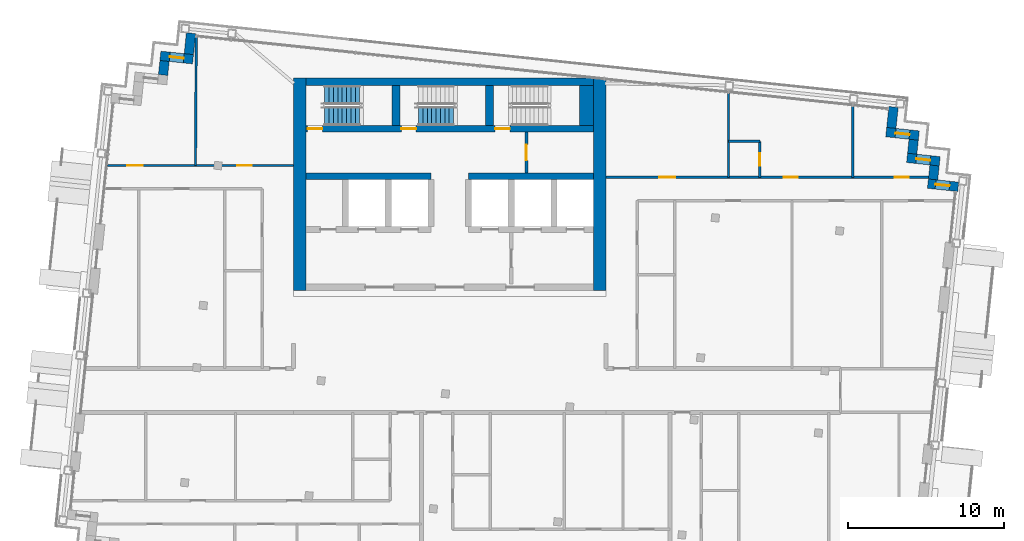
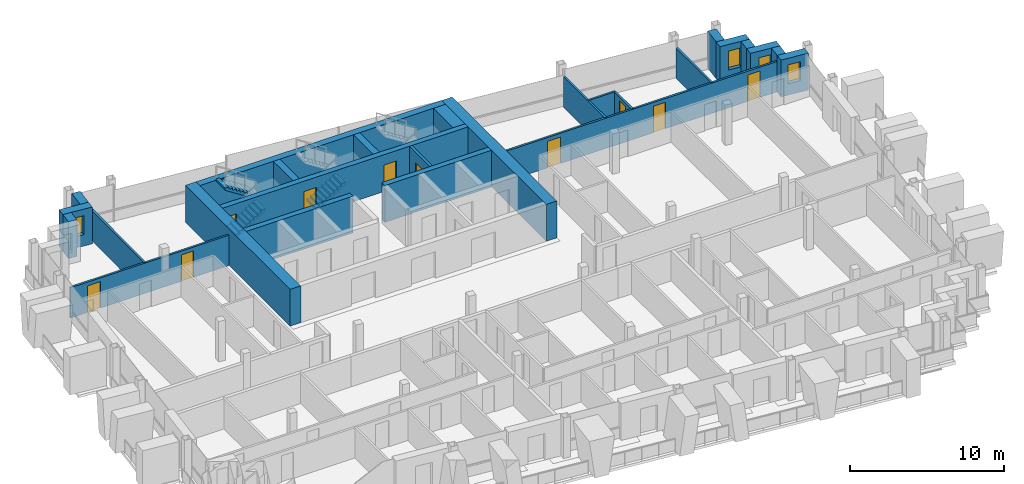
# One storey, part 12 of 17: 26 walls, 10 doors, 4 windows, 3 stair flights, 14 openings, 2 elements without a shape of their own.
"""IFC4 building model written with IfcOpenShell, lengths in metres."""

from ifc_helpers import new_model, si_unit, direction, frame, frame_2d, origin, place, context, subcontext, project, spatial, polyline, rectangle, outline, extrude, material, layer, layer_set, type_object, element, fill, aggregate, save


model = new_model("IFC4")

# Units and contexts
model_context = context("Model", 3, precision=1e-05, world=origin(), true_north=direction((0.0, 1.0)))
body_context = subcontext(model_context, "Body", "Model", "MODEL_VIEW")
ifc_project = project(units=[si_unit("LENGTHUNIT", "METRE"), si_unit("AREAUNIT", "SQUARE_METRE"), si_unit("VOLUMEUNIT", "CUBIC_METRE"), si_unit("PLANEANGLEUNIT", "RADIAN"), si_unit("MASSUNIT", "GRAM", prefix="KILO")], contexts=[model_context])

# Site, building, storey
site_placement = place(None, origin())
site = spatial("IfcSite", under=ifc_project, at=site_placement, CompositionType="ELEMENT")
building_placement = place(site_placement, origin())
building = spatial("IfcBuilding", under=site, at=building_placement, Name="Vidyagriha Tower", CompositionType="ELEMENT")
storey_placement = place(building_placement, frame((0.0, 0.0, 269.10009765625)))
storey = spatial("IfcBuildingStorey", under=building, at=storey_placement, Name="L70", CompositionType="ELEMENT", Elevation=269.10009765625)

# Wall, opening, window
ifc_material_1 = material(Name="Precast concrete C40/50 with brick facing", Category="concrete")
ifc_layer_1 = layer(ifc_material_1, 0.60009765625)
ifc_layer_set_1 = layer_set([ifc_layer_1], Name="Precast concrete C40/50 with brick facing")
wall_type_1 = type_object("IfcWallType", Name="Brick-faced precast wall 600", PredefinedType="STANDARD", material=ifc_layer_set_1)
wall_1_placement = place(storey_placement, frame((32.536376953125, 13.03125, 0.0), z_axis=(0.0, 0.0, 1.0), x_axis=(-0.994534226826, 0.104411070641, 0.0)))
wall_1 = element("IfcWall", 1, at=wall_1_placement, inside=storey, type_object=wall_type_1, Name="Stepped corner wall L70 R01", PredefinedType="STANDARD", context=body_context, shape_type="SweptSolid", body=[
    extrude(rectangle(XDim=1.9501953125, YDim=0.60009765625, at=frame_2d((0.97509765625, 0.0))), origin(), (0.0, 0.0, 1.0), 2.919921875),
])
opening_1_placement = place(wall_1_placement, frame((0.559814453125, 0.0, 0.89990234375)))
opening_1 = element("IfcOpeningElement", 2, at=opening_1_placement, cuts=wall_1, Name="Opening WN1", PredefinedType="OPENING", context=body_context, shape_type="SweptSolid", body=[
    extrude(rectangle(XDim=0.89990234375, YDim=1.5, at=frame_2d((0.449951171875, 0.75))), frame((0.0, 0.31005859375, 0.0), z_axis=(0.0, -1.0, 0.0), x_axis=(1.0, 0.0, 0.0)), (0.0, 0.0, 1.0), 0.6201171875),
])
ifc_material_2 = material(Name="Aluminium and glass window", Category="aluminium")
window_type = type_object("IfcWindowType", Name="Reveal window 900x1500", PartitioningType="NOTDEFINED", PredefinedType="WINDOW", material=ifc_material_2)
window_1_placement = place(opening_1_placement, origin())
window_1 = element("IfcWindow", 3, at=window_1_placement, inside=storey, type_object=window_type, Name="Reveal window L70 R01", OverallHeight=1.5, OverallWidth=0.89990234375, PartitioningType="SINGLE_PANEL", PredefinedType="WINDOW", context=body_context, shape_type="SweptSolid", body=[
    extrude(rectangle(XDim=0.89990234375, YDim=1.5, at=frame_2d((0.449951171875, 0.75))), frame((0.0, 0.030029296875, 0.0), z_axis=(0.0, -1.0, 0.0), x_axis=(1.0, 0.0, 0.0)), (0.0, 0.0, 1.0), 0.06005859375),
])
fill(opening_1, window_1)

# Wall
wall_2_placement = place(storey_placement, frame((30.9267578125, 13.501953125, 0.0), z_axis=(0.0, 0.0, 1.0), x_axis=(0.104416541099, 0.994533652495, 0.0)))
element("IfcWall", 4, at=wall_2_placement, inside=storey, type_object=wall_type_1, Name="Stepped corner wall L70 R02", PredefinedType="STANDARD", context=body_context, shape_type="SweptSolid", body=[
    extrude(rectangle(XDim=0.900146484375, YDim=0.60009765625, at=frame_2d((0.4501953125, 0.0))), origin(), (0.0, 0.0, 1.0), 2.919921875),
])

# Wall, opening, window
wall_3_placement = place(storey_placement, frame((31.3505859375, 14.6640625, 0.0), z_axis=(0.0, 0.0, 1.0), x_axis=(-0.994523910136, 0.104509292252, 0.0)))
wall_3 = element("IfcWall", 5, at=wall_3_placement, inside=storey, type_object=wall_type_1, Name="Stepped corner wall L70 R03", PredefinedType="STANDARD", context=body_context, shape_type="SweptSolid", body=[
    extrude(rectangle(XDim=2.10009765625, YDim=0.60009765625, at=frame_2d((1.050048828125, 0.0))), origin(), (0.0, 0.0, 1.0), 2.919921875),
])
opening_2_placement = place(wall_3_placement, frame((0.60009765625, 0.0, 0.89990234375)))
opening_2 = element("IfcOpeningElement", 6, at=opening_2_placement, cuts=wall_3, Name="Opening WN1", PredefinedType="OPENING", context=body_context, shape_type="SweptSolid", body=[
    extrude(rectangle(XDim=0.89990234375, YDim=1.5, at=frame_2d((0.449951171875, 0.75))), frame((0.0, 0.31005859375, 0.0), z_axis=(0.0, -1.0, 0.0), x_axis=(1.0, 0.0, 0.0)), (0.0, 0.0, 1.0), 0.6201171875),
])
window_2_placement = place(opening_2_placement, origin())
window_2 = element("IfcWindow", 7, at=window_2_placement, inside=storey, type_object=window_type, Name="Reveal window L70 R03", OverallHeight=1.5, OverallWidth=0.89990234375, PartitioningType="SINGLE_PANEL", PredefinedType="WINDOW", context=body_context, shape_type="SweptSolid", body=[
    extrude(rectangle(XDim=0.89990234375, YDim=1.5, at=frame_2d((0.449951171875, 0.75))), frame((0.0, 0.030029296875, 0.0), z_axis=(0.0, -1.0, 0.0), x_axis=(1.0, 0.0, 0.0)), (0.0, 0.0, 1.0), 0.06005859375),
])
fill(opening_2, window_2)

# Wall
wall_4_placement = place(storey_placement, frame((29.591796875, 15.150634765625, 0.0), z_axis=(0.0, 0.0, 1.0), x_axis=(0.104444712852, 0.994530694326, 0.0)))
element("IfcWall", 8, at=wall_4_placement, inside=storey, type_object=wall_type_1, Name="Stepped corner wall L70 R04", PredefinedType="STANDARD", context=body_context, shape_type="SweptSolid", body=[
    extrude(rectangle(XDim=0.89990234375, YDim=0.60009765625, at=frame_2d((0.449951171875, 0.0))), origin(), (0.0, 0.0, 1.0), 2.919921875),
])

# Wall, opening, window
wall_5_placement = place(storey_placement, frame((30.015380859375, 16.3125, 0.0), z_axis=(0.0, 0.0, 1.0), x_axis=(-0.994510548187, 0.104636368175, 0.0)))
wall_5 = element("IfcWall", 9, at=wall_5_placement, inside=storey, type_object=wall_type_1, Name="Stepped corner wall L70 R05", PredefinedType="STANDARD", context=body_context, shape_type="SweptSolid", body=[
    extrude(rectangle(XDim=2.099853515625, YDim=0.60009765625, at=frame_2d((1.0498046875, 0.0))), origin(), (0.0, 0.0, 1.0), 2.919921875),
])
opening_3_placement = place(wall_5_placement, frame((0.60009765625, 0.0, 0.89990234375)))
opening_3 = element("IfcOpeningElement", 10, at=opening_3_placement, cuts=wall_5, Name="Opening WN1", PredefinedType="OPENING", context=body_context, shape_type="SweptSolid", body=[
    extrude(rectangle(XDim=0.89990234375, YDim=1.5, at=frame_2d((0.449951171875, 0.75))), frame((0.0, 0.31005859375, 0.0), z_axis=(0.0, -1.0, 0.0), x_axis=(1.0, 0.0, 0.0)), (0.0, 0.0, 1.0), 0.6201171875),
])
window_3_placement = place(opening_3_placement, origin())
window_3 = element("IfcWindow", 11, at=window_3_placement, inside=storey, type_object=window_type, Name="Reveal window L70 R05", OverallHeight=1.5, OverallWidth=0.89990234375, PartitioningType="SINGLE_PANEL", PredefinedType="WINDOW", context=body_context, shape_type="SweptSolid", body=[
    extrude(rectangle(XDim=0.89990234375, YDim=1.5, at=frame_2d((0.449951171875, 0.75))), frame((0.0, 0.030029296875, 0.0), z_axis=(0.0, -1.0, 0.0), x_axis=(1.0, 0.0, 0.0)), (0.0, 0.0, 1.0), 0.06005859375),
])
fill(opening_3, window_3)

# Walls
wall_6_placement = place(storey_placement, frame((28.256591796875, 16.79931640625, 0.0), z_axis=(0.0, 0.0, 1.0), x_axis=(0.104534153452, 0.994521297289, 0.0)))
element("IfcWall", 12, at=wall_6_placement, inside=storey, type_object=wall_type_1, Name="Stepped corner wall L70 R06", PredefinedType="STANDARD", context=body_context, shape_type="SweptSolid", body=[
    extrude(rectangle(XDim=1.349853515625, YDim=0.60009765625, at=frame_2d((0.6748046875, 0.0))), origin(), (0.0, 0.0, 1.0), 2.919921875),
])
wall_7_placement = place(storey_placement, frame((-16.5546875, 22.866455078125, 0.0), z_axis=(0.0, 0.0, 1.0), x_axis=(-0.104515354875, -0.994523273029, 0.0)))
element("IfcWall", 13, at=wall_7_placement, inside=storey, type_object=wall_type_1, Name="Stepped corner wall L70 R08", PredefinedType="STANDARD", context=body_context, shape_type="SweptSolid", body=[
    extrude(rectangle(XDim=1.35009765625, YDim=0.60009765625, at=frame_2d((0.675048828125, 0.0))), origin(), (0.0, 0.0, 1.0), 2.919921875),
])

# Wall, opening, window
wall_8_placement = place(storey_placement, frame((-16.4287109375, 21.194091796875, 0.0), z_axis=(0.0, 0.0, 1.0), x_axis=(-0.994522640205, 0.104521376379, 0.0)))
wall_8 = element("IfcWall", 14, at=wall_8_placement, inside=storey, type_object=wall_type_1, Name="Stepped corner wall L70 R09", PredefinedType="STANDARD", context=body_context, shape_type="SweptSolid", body=[
    extrude(rectangle(XDim=2.099853515625, YDim=0.60009765625, at=frame_2d((1.0498046875, 0.0))), origin(), (0.0, 0.0, 1.0), 2.919921875),
])
opening_4_placement = place(wall_8_placement, frame((0.599853515625, 0.0, 0.89990234375)))
opening_4 = element("IfcOpeningElement", 15, at=opening_4_placement, cuts=wall_8, Name="Opening WN1", PredefinedType="OPENING", context=body_context, shape_type="SweptSolid", body=[
    extrude(rectangle(XDim=0.89990234375, YDim=1.5, at=frame_2d((0.449951171875, 0.75))), frame((0.0, 0.31005859375, 0.0), z_axis=(0.0, -1.0, 0.0), x_axis=(1.0, 0.0, 0.0)), (0.0, 0.0, 1.0), 0.6201171875),
])
window_4_placement = place(opening_4_placement, origin())
window_4 = element("IfcWindow", 16, at=window_4_placement, inside=storey, type_object=window_type, Name="Reveal window L70 R09", OverallHeight=1.5, OverallWidth=0.89990234375, PartitioningType="SINGLE_PANEL", PredefinedType="WINDOW", context=body_context, shape_type="SweptSolid", body=[
    extrude(rectangle(XDim=0.89990234375, YDim=1.5, at=frame_2d((0.449951171875, 0.75))), frame((0.0, 0.030029296875, 0.0), z_axis=(0.0, -1.0, 0.0), x_axis=(1.0, 0.0, 0.0)), (0.0, 0.0, 1.0), 0.06005859375),
])
fill(opening_4, window_4)

# Walls
wall_9_placement = place(storey_placement, frame((-18.250244140625, 21.083984375, 0.0), z_axis=(0.0, 0.0, 1.0), x_axis=(-0.104416541099, -0.994533652495, 0.0)))
element("IfcWall", 17, at=wall_9_placement, inside=storey, type_object=wall_type_1, Name="Stepped corner wall L70 R10", PredefinedType="STANDARD", context=body_context, shape_type="SweptSolid", body=[
    extrude(rectangle(XDim=0.900146484375, YDim=0.60009765625, at=frame_2d((0.4501953125, 0.0))), origin(), (0.0, 0.0, 1.0), 2.919921875),
])
ifc_material_3 = material(Name="Concrete C60/75", Category="concrete")
ifc_layer_2 = layer(ifc_material_3, 0.39990234375)
ifc_layer_set_2 = layer_set([ifc_layer_2], Name="Concrete C60/75")
wall_type_2 = type_object("IfcWallType", Name="Core shear wall 400 mm", PredefinedType="SHEAR", material=ifc_layer_set_2)
for number, where, name in (
    (18, (-9.199951171875, 13.699951171875, 0.0), "Core row N rear wall"),
    (19, (1.199951171875, 13.699951171875, 0.0), "Core row N rear wall"),
):
    element("IfcWall", number, at=place(storey_placement, frame(where)), inside=storey, type_object=wall_type_2, Name=name, PredefinedType="SHEAR", context=body_context, shape_type="SweptSolid", body=[
        extrude(rectangle(XDim=8.0, YDim=0.39990234375, at=frame_2d((4.0, 0.0))), origin(), (0.0, 0.0, 1.0), 2.919921875),
    ])

# Wall, openings, doors
wall_10_placement = place(storey_placement, frame((-9.199951171875, 16.75, 0.0)))
wall_10 = element("IfcWall", 20, at=wall_10_placement, inside=storey, type_object=wall_type_2, Name="Stair front wall", PredefinedType="SHEAR", context=body_context, shape_type="SweptSolid", body=[
    extrude(rectangle(XDim=18.39990234375, YDim=0.39990234375, at=frame_2d((9.199951171875, 0.0))), origin(), (0.0, 0.0, 1.0), 2.919921875),
])
opening_5_placement = place(wall_10_placement, frame((0.10009765625, 0.0, 0.0)))
opening_5 = element("IfcOpeningElement", 21, at=opening_5_placement, cuts=wall_10, Name="Opening D70-06", PredefinedType="OPENING", context=body_context, shape_type="SweptSolid", body=[
    extrude(rectangle(XDim=0.949951171875, YDim=2.10009765625, at=frame_2d((0.47509765625, 1.050048828125))), frame((0.0, 0.2099609375, 0.0), z_axis=(0.0, -1.0, 0.0), x_axis=(1.0, 0.0, 0.0)), (0.0, 0.0, 1.0), 0.419921875),
])
opening_6_placement = place(wall_10_placement, frame((6.10009765625, 0.0, 0.0)))
opening_6 = element("IfcOpeningElement", 22, at=opening_6_placement, cuts=wall_10, Name="Opening D70-07", PredefinedType="OPENING", context=body_context, shape_type="SweptSolid", body=[
    extrude(rectangle(XDim=0.949951171875, YDim=2.10009765625, at=frame_2d((0.47509765625, 1.050048828125))), frame((0.0, 0.2099609375, 0.0), z_axis=(0.0, -1.0, 0.0), x_axis=(1.0, 0.0, 0.0)), (0.0, 0.0, 1.0), 0.419921875),
])
opening_7_placement = place(wall_10_placement, frame((12.10009765625, 0.0, 0.0)))
opening_7 = element("IfcOpeningElement", 23, at=opening_7_placement, cuts=wall_10, Name="Opening D70-08", PredefinedType="OPENING", context=body_context, shape_type="SweptSolid", body=[
    extrude(rectangle(XDim=0.949951171875, YDim=2.10009765625, at=frame_2d((0.47509765625, 1.050048828125))), frame((0.0, 0.2099609375, 0.0), z_axis=(0.0, -1.0, 0.0), x_axis=(1.0, 0.0, 0.0)), (0.0, 0.0, 1.0), 0.419921875),
])
ifc_material_4 = material(Name="Hollow metal door leaf")
door_type_1 = type_object("IfcDoorType", Name="Exit stair door 950 x 2100 mm EI 90", OperationType="NOTDEFINED", PredefinedType="DOOR", material=ifc_material_4)
door_1_placement = place(opening_5_placement, origin())
door_1 = element("IfcDoor", 24, at=door_1_placement, inside=storey, type_object=door_type_1, Name="Stair door ST1 L70", OperationType="SINGLE_SWING_LEFT", OverallHeight=2.10009765625, OverallWidth=0.949951171875, PredefinedType="DOOR", context=body_context, shape_type="SweptSolid", body=[
    extrude(rectangle(XDim=0.949951171875, YDim=2.10009765625, at=frame_2d((0.47509765625, 1.050048828125))), frame((0.0, 0.02490234375, 0.0), z_axis=(0.0, -1.0, 0.0), x_axis=(1.0, 0.0, 0.0)), (0.0, 0.0, 1.0), 0.050048828125),
])
fill(opening_5, door_1)
door_2_placement = place(opening_6_placement, origin())
door_2 = element("IfcDoor", 25, at=door_2_placement, inside=storey, type_object=door_type_1, Name="Stair door ST2 L70", OperationType="SINGLE_SWING_LEFT", OverallHeight=2.10009765625, OverallWidth=0.949951171875, PredefinedType="DOOR", context=body_context, shape_type="SweptSolid", body=[
    extrude(rectangle(XDim=0.949951171875, YDim=2.10009765625, at=frame_2d((0.47509765625, 1.050048828125))), frame((0.0, 0.02490234375, 0.0), z_axis=(0.0, -1.0, 0.0), x_axis=(1.0, 0.0, 0.0)), (0.0, 0.0, 1.0), 0.050048828125),
])
fill(opening_6, door_2)
door_3_placement = place(opening_7_placement, origin())
door_3 = element("IfcDoor", 26, at=door_3_placement, inside=storey, type_object=door_type_1, Name="Stair door ST3 L70", OperationType="SINGLE_SWING_LEFT", OverallHeight=2.10009765625, OverallWidth=0.949951171875, PredefinedType="DOOR", context=body_context, shape_type="SweptSolid", body=[
    extrude(rectangle(XDim=0.949951171875, YDim=2.10009765625, at=frame_2d((0.47509765625, 1.050048828125))), frame((0.0, 0.02490234375, 0.0), z_axis=(0.0, -1.0, 0.0), x_axis=(1.0, 0.0, 0.0)), (0.0, 0.0, 1.0), 0.050048828125),
])
fill(opening_7, door_3)

# Walls
ifc_material_5 = material(Name="Concrete C60/75", Category="concrete")
ifc_layer_3 = layer(ifc_material_5, 0.5)
ifc_layer_set_3 = layer_set([ifc_layer_3], Name="Concrete C60/75")
wall_type_3 = type_object("IfcWallType", Name="Core shear wall 500 mm", PredefinedType="SHEAR", material=ifc_layer_set_3)
wall_11_placement = place(storey_placement, frame((-9.199951171875, 19.75, 0.0)))
element("IfcWall", 27, at=wall_11_placement, inside=storey, type_object=wall_type_3, Name="Core north wall", PredefinedType="SHEAR", context=body_context, shape_type="SweptSolid", body=[
    extrude(rectangle(XDim=18.39990234375, YDim=0.5, at=frame_2d((9.199951171875, 0.0))), origin(), (0.0, 0.0, 1.0), 2.919921875),
])
for number, where, z_axis, x_axis, name in (
    (28, (-3.449951171875, 16.949951171875, 0.0), (0.0, 0.0, 1.0), (0.0, 1.0, 0.0), "Stair partition wall 1"),
    (29, (2.550048828125, 16.949951171875, 0.0), (0.0, 0.0, 1.0), (0.0, 1.0, 0.0), "Stair partition wall 2"),
):
    element("IfcWall", number, at=place(storey_placement, frame(where, z_axis=z_axis, x_axis=x_axis)), inside=storey, type_object=wall_type_3, Name=name, PredefinedType="SHEAR", context=body_context, shape_type="SweptSolid", body=[
        extrude(rectangle(XDim=2.550048828125, YDim=0.5, at=frame_2d((1.27490234375, 0.0))), origin(), (0.0, 0.0, 1.0), 2.919921875),
    ])
ifc_material_6 = material(Name="Concrete C60/75", Category="concrete")
ifc_layer_4 = layer(ifc_material_6, 0.800048828125)
ifc_layer_set_4 = layer_set([ifc_layer_4], Name="Concrete C60/75")
wall_type_4 = type_object("IfcWallType", Name="Core shear wall 800 mm", PredefinedType="SHEAR", material=ifc_layer_set_4)
for number, where, z_axis, x_axis, name in (
    (30, (-9.60009765625, 6.39990234375, 0.0), (0.0, 0.0, 1.0), (0.0, 1.0, 0.0), "Core west wall"),
    (31, (9.60009765625, 6.39990234375, 0.0), (0.0, 0.0, 1.0), (0.0, 1.0, 0.0), "Core east wall"),
):
    element("IfcWall", number, at=place(storey_placement, frame(where, z_axis=z_axis, x_axis=x_axis)), inside=storey, type_object=wall_type_4, Name=name, PredefinedType="SHEAR", context=body_context, shape_type="SweptSolid", body=[
        extrude(rectangle(XDim=13.60009765625, YDim=0.800048828125, at=frame_2d((6.800048828125, 0.0))), origin(), (0.0, 0.0, 1.0), 2.919921875),
    ])
ifc_material_7 = material(Name="Concrete C60/75", Category="concrete")
ifc_layer_5 = layer(ifc_material_7, 0.89990234375)
ifc_layer_set_5 = layer_set([ifc_layer_5], Name="Concrete C60/75")
wall_type_5 = type_object("IfcWallType", Name="Core shear wall 900 mm", PredefinedType="SHEAR", material=ifc_layer_set_5)
wall_12_placement = place(storey_placement, frame((8.75, 16.949951171875, 0.0), z_axis=(0.0, 0.0, 1.0), x_axis=(0.0, 1.0, 0.0)))
element("IfcWall", 32, at=wall_12_placement, inside=storey, type_object=wall_type_5, Name="Stair end wall", PredefinedType="SHEAR", context=body_context, shape_type="SweptSolid", body=[
    extrude(rectangle(XDim=2.550048828125, YDim=0.89990234375, at=frame_2d((1.27490234375, 0.0))), origin(), (0.0, 0.0, 1.0), 2.919921875),
])

# Wall, openings, doors
ifc_material_8 = material(Name="Gypsum board partition")
ifc_layer_6 = layer(ifc_material_8, 0.14990234375)
ifc_layer_set_6 = layer_set([ifc_layer_6], Name="Gypsum board partition")
wall_type_6 = type_object("IfcWallType", Name="Gypsum board partition 150", PredefinedType="PARTITIONING", material=ifc_layer_set_6)
wall_13_placement = place(storey_placement, frame((-21.889892578125, 14.39990234375, 0.0)))
wall_13 = element("IfcWall", 33, at=wall_13_placement, inside=storey, type_object=wall_type_6, Name="Wall all-L70-w076", PredefinedType="PARTITIONING", context=body_context, shape_type="SweptSolid", body=[
    extrude(rectangle(XDim=11.889892578125, YDim=0.14990234375, at=frame_2d((5.94482421875, 0.0))), origin(), (0.0, 0.0, 1.0), 2.39990234375),
])
opening_8_placement = place(wall_13_placement, frame((1.259765625, 0.0, 0.0)))
opening_8 = element("IfcOpeningElement", 34, at=opening_8_placement, cuts=wall_13, Name="Opening D70-44", PredefinedType="OPENING", context=body_context, shape_type="SweptSolid", body=[
    extrude(rectangle(XDim=1.0, YDim=2.10009765625, at=frame_2d((0.5, 1.050048828125))), frame((0.0, 0.0849609375, 0.0), z_axis=(0.0, -1.0, 0.0), x_axis=(1.0, 0.0, 0.0)), (0.0, 0.0, 1.0), 0.169921875),
])
opening_9_placement = place(wall_13_placement, frame((8.3037109375, 0.0, 0.0)))
opening_9 = element("IfcOpeningElement", 35, at=opening_9_placement, cuts=wall_13, Name="Opening D70-45", PredefinedType="OPENING", context=body_context, shape_type="SweptSolid", body=[
    extrude(rectangle(XDim=0.89990234375, YDim=2.10009765625, at=frame_2d((0.449951171875, 1.050048828125))), frame((0.0, 0.0849609375, 0.0), z_axis=(0.0, -1.0, 0.0), x_axis=(1.0, 0.0, 0.0)), (0.0, 0.0, 1.0), 0.169921875),
])
ifc_material_9 = material(Name="Timber door leaf", Category="wood")
door_type_2 = type_object("IfcDoorType", Name="Room door 1000x2100", OperationType="NOTDEFINED", PredefinedType="DOOR", material=ifc_material_9)
door_4_placement = place(opening_8_placement, origin())
door_4 = element("IfcDoor", 36, at=door_4_placement, inside=storey, type_object=door_type_2, Name="Door D70-44", OperationType="SINGLE_SWING_LEFT", OverallHeight=2.10009765625, OverallWidth=1.0, PredefinedType="DOOR", context=body_context, shape_type="SweptSolid", body=[
    extrude(rectangle(XDim=1.0, YDim=2.10009765625, at=frame_2d((0.5, 1.050048828125))), frame((0.0, 0.02490234375, 0.0), z_axis=(0.0, -1.0, 0.0), x_axis=(1.0, 0.0, 0.0)), (0.0, 0.0, 1.0), 0.050048828125),
])
fill(opening_8, door_4)
ifc_material_10 = material(Name="Timber door leaf", Category="wood")
door_type_3 = type_object("IfcDoorType", Name="Room door 900x2100", OperationType="NOTDEFINED", PredefinedType="DOOR", material=ifc_material_10)
door_5_placement = place(opening_9_placement, origin())
door_5 = element("IfcDoor", 37, at=door_5_placement, inside=storey, type_object=door_type_3, Name="Door D70-45", OperationType="SINGLE_SWING_RIGHT", OverallHeight=2.10009765625, OverallWidth=0.89990234375, PredefinedType="DOOR", context=body_context, shape_type="SweptSolid", body=[
    extrude(rectangle(XDim=0.89990234375, YDim=2.10009765625, at=frame_2d((0.449951171875, 1.050048828125))), frame((0.0, 0.02490234375, 0.0), z_axis=(0.0, -1.0, 0.0), x_axis=(1.0, 0.0, 0.0)), (0.0, 0.0, 1.0), 0.050048828125),
])
fill(opening_9, door_5)

# Wall
wall_14_placement = place(storey_placement, frame((-16.221923828125, 22.6103515625, 0.0), z_axis=(0.0, 0.0, 1.0), x_axis=(-0.006095634594, -0.999981421447, 0.0)))
element("IfcWall", 38, at=wall_14_placement, inside=storey, type_object=wall_type_6, Name="Wall all-L70-w079", PredefinedType="PARTITIONING", context=body_context, shape_type="SweptSolid", body=[
    extrude(rectangle(XDim=8.210693359375, YDim=0.14990234375, at=frame_2d((4.10546875, 0.0))), origin(), (0.0, 0.0, 1.0), 2.39990234375),
])

# Wall, openings, doors
wall_15_placement = place(storey_placement, frame((10.0, 13.643310546875, 0.0)))
wall_15 = element("IfcWall", 39, at=wall_15_placement, inside=storey, type_object=wall_type_6, Name="Wall all-L70-w093", PredefinedType="PARTITIONING", context=body_context, shape_type="SweptSolid", body=[
    extrude(rectangle(XDim=20.640869140625, YDim=0.14990234375, at=frame_2d((10.3203125, 0.0))), origin(), (0.0, 0.0, 1.0), 2.39990234375),
])
opening_10_placement = place(wall_15_placement, frame((3.420166015625, 0.0, 0.0)))
opening_10 = element("IfcOpeningElement", 40, at=opening_10_placement, cuts=wall_15, Name="Opening D70-52", PredefinedType="OPENING", context=body_context, shape_type="SweptSolid", body=[
    extrude(rectangle(XDim=1.0, YDim=2.10009765625, at=frame_2d((0.5, 1.050048828125))), frame((0.0, 0.0849609375, 0.0), z_axis=(0.0, -1.0, 0.0), x_axis=(1.0, 0.0, 0.0)), (0.0, 0.0, 1.0), 0.169921875),
])
opening_11_placement = place(wall_15_placement, frame((11.368408203125, 0.0, 0.0)))
opening_11 = element("IfcOpeningElement", 41, at=opening_11_placement, cuts=wall_15, Name="Opening D70-53", PredefinedType="OPENING", context=body_context, shape_type="SweptSolid", body=[
    extrude(rectangle(XDim=0.89990234375, YDim=2.10009765625, at=frame_2d((0.449951171875, 1.050048828125))), frame((0.0, 0.0849609375, 0.0), z_axis=(0.0, -1.0, 0.0), x_axis=(1.0, 0.0, 0.0)), (0.0, 0.0, 1.0), 0.169921875),
])
opening_12_placement = place(wall_15_placement, frame((18.476806640625, 0.0, 0.0)))
opening_12 = element("IfcOpeningElement", 42, at=opening_12_placement, cuts=wall_15, Name="Opening D70-54", PredefinedType="OPENING", context=body_context, shape_type="SweptSolid", body=[
    extrude(rectangle(XDim=0.89990234375, YDim=2.10009765625, at=frame_2d((0.449951171875, 1.050048828125))), frame((0.0, 0.0849609375, 0.0), z_axis=(0.0, -1.0, 0.0), x_axis=(1.0, 0.0, 0.0)), (0.0, 0.0, 1.0), 0.169921875),
])
door_6_placement = place(opening_10_placement, origin())
door_6 = element("IfcDoor", 43, at=door_6_placement, inside=storey, type_object=door_type_2, Name="Door D70-52", OperationType="SINGLE_SWING_RIGHT", OverallHeight=2.10009765625, OverallWidth=1.0, PredefinedType="DOOR", context=body_context, shape_type="SweptSolid", body=[
    extrude(rectangle(XDim=1.0, YDim=2.10009765625, at=frame_2d((0.5, 1.050048828125))), frame((0.0, 0.02490234375, 0.0), z_axis=(0.0, -1.0, 0.0), x_axis=(1.0, 0.0, 0.0)), (0.0, 0.0, 1.0), 0.050048828125),
])
fill(opening_10, door_6)
door_7_placement = place(opening_11_placement, origin())
door_7 = element("IfcDoor", 44, at=door_7_placement, inside=storey, type_object=door_type_3, Name="Door D70-53", OperationType="SINGLE_SWING_RIGHT", OverallHeight=2.10009765625, OverallWidth=0.89990234375, PredefinedType="DOOR", context=body_context, shape_type="SweptSolid", body=[
    extrude(rectangle(XDim=0.89990234375, YDim=2.10009765625, at=frame_2d((0.449951171875, 1.050048828125))), frame((0.0, 0.02490234375, 0.0), z_axis=(0.0, -1.0, 0.0), x_axis=(1.0, 0.0, 0.0)), (0.0, 0.0, 1.0), 0.050048828125),
])
fill(opening_11, door_7)
door_8_placement = place(opening_12_placement, origin())
door_8 = element("IfcDoor", 45, at=door_8_placement, inside=storey, type_object=door_type_3, Name="Door D70-54", OperationType="SINGLE_SWING_RIGHT", OverallHeight=2.10009765625, OverallWidth=0.89990234375, PredefinedType="DOOR", context=body_context, shape_type="SweptSolid", body=[
    extrude(rectangle(XDim=0.89990234375, YDim=2.10009765625, at=frame_2d((0.449951171875, 1.050048828125))), frame((0.0, 0.02490234375, 0.0), z_axis=(0.0, -1.0, 0.0), x_axis=(1.0, 0.0, 0.0)), (0.0, 0.0, 1.0), 0.050048828125),
])
fill(opening_12, door_8)

# Walls
wall_16_placement = place(storey_placement, frame((17.840087890625, 19.02099609375, 0.0), z_axis=(0.0, 0.0, 1.0), x_axis=(0.0, -1.0, 0.0)))
element("IfcWall", 46, at=wall_16_placement, inside=storey, type_object=wall_type_6, Name="Wall all-L70-w097", PredefinedType="PARTITIONING", context=body_context, shape_type="SweptSolid", body=[
    extrude(rectangle(XDim=5.377685546875, YDim=0.14990234375, at=frame_2d((2.68896484375, 0.0))), origin(), (0.0, 0.0, 1.0), 2.39990234375),
])
wall_17_placement = place(storey_placement, frame((25.79638671875, 18.184814453125, 0.0), z_axis=(0.0, 0.0, 1.0), x_axis=(0.0, -1.0, 0.0)))
element("IfcWall", 47, at=wall_17_placement, inside=storey, type_object=wall_type_6, Name="Wall all-L70-w098", PredefinedType="PARTITIONING", context=body_context, shape_type="SweptSolid", body=[
    extrude(rectangle(XDim=4.54150390625, YDim=0.14990234375, at=frame_2d((2.270751953125, 0.0))), origin(), (0.0, 0.0, 1.0), 2.39990234375),
])

# Wall, opening, door
wall_18_placement = place(storey_placement, frame((19.840087890625, 15.943359375, 0.0), z_axis=(0.0, 0.0, 1.0), x_axis=(0.0, -1.0, 0.0)))
wall_18 = element("IfcWall", 48, at=wall_18_placement, inside=storey, type_object=wall_type_6, Name="Wall all-L70-w099", PredefinedType="PARTITIONING", context=body_context, shape_type="SweptSolid", body=[
    extrude(rectangle(XDim=2.300048828125, YDim=0.14990234375, at=frame_2d((1.14990234375, 0.0))), origin(), (0.0, 0.0, 1.0), 2.39990234375),
])
opening_13_placement = place(wall_18_placement, frame((0.75, 0.0, 0.0)))
opening_13 = element("IfcOpeningElement", 49, at=opening_13_placement, cuts=wall_18, Name="Opening D70-55", PredefinedType="OPENING", context=body_context, shape_type="SweptSolid", body=[
    extrude(rectangle(XDim=0.800048828125, YDim=2.10009765625, at=frame_2d((0.39990234375, 1.050048828125))), frame((0.0, 0.0849609375, 0.0), z_axis=(0.0, -1.0, 0.0), x_axis=(1.0, 0.0, 0.0)), (0.0, 0.0, 1.0), 0.169921875),
])
ifc_material_11 = material(Name="Timber door leaf", Category="wood")
door_type_4 = type_object("IfcDoorType", Name="Bathroom door 800x2100", OperationType="NOTDEFINED", PredefinedType="DOOR", material=ifc_material_11)
door_9_placement = place(opening_13_placement, origin())
door_9 = element("IfcDoor", 50, at=door_9_placement, inside=storey, type_object=door_type_4, Name="Door D70-55", OperationType="SINGLE_SWING_RIGHT", OverallHeight=2.10009765625, OverallWidth=0.800048828125, PredefinedType="DOOR", context=body_context, shape_type="SweptSolid", body=[
    extrude(rectangle(XDim=0.800048828125, YDim=2.10009765625, at=frame_2d((0.39990234375, 1.050048828125))), frame((0.0, 0.02490234375, 0.0), z_axis=(0.0, -1.0, 0.0), x_axis=(1.0, 0.0, 0.0)), (0.0, 0.0, 1.0), 0.050048828125),
])
fill(opening_13, door_9)

# Wall
wall_19_placement = place(storey_placement, frame((17.840087890625, 15.943359375, 0.0)))
element("IfcWall", 51, at=wall_19_placement, inside=storey, type_object=wall_type_6, Name="Wall all-L70-w100", PredefinedType="PARTITIONING", context=body_context, shape_type="SweptSolid", body=[
    extrude(rectangle(XDim=2.0, YDim=0.14990234375, at=frame_2d((1.0, 0.0))), origin(), (0.0, 0.0, 1.0), 2.39990234375),
])

# Wall, opening, door
ifc_material_12 = material(Name="Blockwork 15 MPa", Category="masonry")
ifc_layer_7 = layer(ifc_material_12, 0.199951171875)
ifc_layer_set_7 = layer_set([ifc_layer_7], Name="Blockwork 15 MPa")
wall_type_7 = type_object("IfcWallType", Name="Service room partition 200 mm", PredefinedType="PARTITIONING", material=ifc_layer_set_7)
wall_20_placement = place(storey_placement, frame((4.89990234375, 13.89990234375, 0.0), z_axis=(0.0, 0.0, 1.0), x_axis=(0.0, 1.0, 0.0)))
wall_20 = element("IfcWall", 52, at=wall_20_placement, inside=storey, type_object=wall_type_7, Name="Core room partition E", PredefinedType="PARTITIONING", context=body_context, shape_type="SweptSolid", body=[
    extrude(rectangle(XDim=2.650146484375, YDim=0.199951171875, at=frame_2d((1.3251953125, 0.0))), origin(), (0.0, 0.0, 1.0), 2.919921875),
])
opening_14_placement = place(wall_20_placement, frame((0.824951171875, 0.0, 0.0)))
opening_14 = element("IfcOpeningElement", 53, at=opening_14_placement, cuts=wall_20, Name="Opening D70-09", PredefinedType="OPENING", context=body_context, shape_type="SweptSolid", body=[
    extrude(rectangle(XDim=1.0, YDim=2.10009765625, at=frame_2d((0.5, 1.050048828125))), frame((0.0, 0.10986328125, 0.0), z_axis=(0.0, -1.0, 0.0), x_axis=(1.0, 0.0, 0.0)), (0.0, 0.0, 1.0), 0.219970703125),
])
ifc_material_13 = material(Name="Hollow metal door leaf")
door_type_5 = type_object("IfcDoorType", Name="Core room door 1000 x 2100 mm EI 60", OperationType="NOTDEFINED", PredefinedType="DOOR", material=ifc_material_13)
door_10_placement = place(opening_14_placement, origin())
door_10 = element("IfcDoor", 54, at=door_10_placement, inside=storey, type_object=door_type_5, Name="Door Storage Room 70.T1", OperationType="SINGLE_SWING_LEFT", OverallHeight=2.10009765625, OverallWidth=1.0, PredefinedType="DOOR", context=body_context, shape_type="SweptSolid", body=[
    extrude(rectangle(XDim=1.0, YDim=2.10009765625, at=frame_2d((0.5, 1.050048828125))), frame((0.0, 0.02490234375, 0.0), z_axis=(0.0, -1.0, 0.0), x_axis=(1.0, 0.0, 0.0)), (0.0, 0.0, 1.0), 0.050048828125),
])
fill(opening_14, door_10)

# Stair, stair flights
ifc_material_14 = material(Name="Concrete C40/50", Category="concrete")
stair_type = type_object("IfcStairType", Name="Exit stair, half-turn, precast flights", PredefinedType="HALF_TURN_STAIR", material=ifc_material_14)
stair_1_placement = place(storey_placement, origin())
stair_1 = element("IfcStair", 55, at=stair_1_placement, inside=storey, type_object=stair_type, Name="L70 Exit Stair ST1", PredefinedType="HALF_TURN_STAIR")
ifc_material_15 = material(Name="Precast concrete C40/50", Category="concrete")
stair_flight_type = type_object("IfcStairFlightType", Name="Exit stair flight 1200 mm, precast", PredefinedType="STRAIGHT", material=ifc_material_15)
stair_flight_1_placement = place(storey_placement, frame((-8.0, 17.550048828125, 0.0)))
stair_flight_1 = element("IfcStairFlight", 56, at=stair_flight_1_placement, type_object=stair_flight_type, Name="ST1 flight 1", NumberOfRisers=9, NumberOfTreads=8, PredefinedType="STRAIGHT", RiserHeight=0.177777778, TreadLength=0.28, context=body_context, shape_type="SweptSolid", body=[
    extrude(outline(polyline([(0.0, 0.0), (0.0, 0.177734375), (0.280029296875, 0.177734375), (0.280029296875, 0.35546875), (0.56005859375, 0.35546875), (0.56005859375, 0.533447265625), (0.840087890625, 0.533447265625), (0.840087890625, 0.711181640625), (1.1201171875, 0.711181640625), (1.1201171875, 0.888916015625), (1.39990234375, 0.888916015625), (1.39990234375, 1.066650390625), (1.679931640625, 1.066650390625), (1.679931640625, 1.244384765625), (1.9599609375, 1.244384765625), (1.9599609375, 1.422119140625), (2.239990234375, 1.422119140625), (2.239990234375, 1.60009765625), (2.239990234375, 1.24462890625), (0.27978515625, 0.0), (0.0, 0.0)])), frame((0.0, 0.60009765625, 0.0), z_axis=(0.0, -1.0, 0.0), x_axis=(1.0, 0.0, 0.0)), (0.0, 0.0, 1.0), 1.199951171875),
])
stair_flight_2_placement = place(storey_placement, frame((-5.760009765625, 18.89990234375, 1.599853515625), z_axis=(0.0, 0.0, 1.0), x_axis=(-1.0, 0.0, 0.0)))
stair_flight_2 = element("IfcStairFlight", 57, at=stair_flight_2_placement, type_object=stair_flight_type, Name="ST1 flight 2", NumberOfRisers=9, NumberOfTreads=8, PredefinedType="STRAIGHT", RiserHeight=0.177777778, TreadLength=0.28, context=body_context, shape_type="SweptSolid", body=[
    extrude(outline(polyline([(0.0, 0.0), (0.0, 0.177734375), (0.280029296875, 0.177734375), (0.280029296875, 0.35546875), (0.56005859375, 0.35546875), (0.56005859375, 0.533447265625), (0.840087890625, 0.533447265625), (0.840087890625, 0.711181640625), (1.1201171875, 0.711181640625), (1.1201171875, 0.888916015625), (1.39990234375, 0.888916015625), (1.39990234375, 1.066650390625), (1.679931640625, 1.066650390625), (1.679931640625, 1.244384765625), (1.9599609375, 1.244384765625), (1.9599609375, 1.422119140625), (2.239990234375, 1.422119140625), (2.239990234375, 1.60009765625), (2.239990234375, 1.24462890625), (0.27978515625, 0.0), (0.0, 0.0)])), frame((0.0, 0.60009765625, 0.0), z_axis=(0.0, -1.0, 0.0), x_axis=(1.0, 0.0, 0.0)), (0.0, 0.0, 1.0), 1.199951171875),
])
aggregate(stair_1, [stair_flight_1, stair_flight_2])

# Stair, stair flight
stair_2_placement = place(storey_placement, origin())
stair_2 = element("IfcStair", 58, at=stair_2_placement, inside=storey, type_object=stair_type, Name="L70 Exit Stair ST2", PredefinedType="HALF_TURN_STAIR")
stair_flight_3_placement = place(storey_placement, frame((-2.0, 17.550048828125, 0.0)))
stair_flight_3 = element("IfcStairFlight", 59, at=stair_flight_3_placement, type_object=stair_flight_type, Name="ST2 flight 1", NumberOfRisers=9, NumberOfTreads=8, PredefinedType="STRAIGHT", RiserHeight=0.177777778, TreadLength=0.28, context=body_context, shape_type="SweptSolid", body=[
    extrude(outline(polyline([(0.0, 0.0), (0.0, 0.177734375), (0.280029296875, 0.177734375), (0.280029296875, 0.35546875), (0.56005859375, 0.35546875), (0.56005859375, 0.533447265625), (0.840087890625, 0.533447265625), (0.840087890625, 0.711181640625), (1.1201171875, 0.711181640625), (1.1201171875, 0.888916015625), (1.39990234375, 0.888916015625), (1.39990234375, 1.066650390625), (1.679931640625, 1.066650390625), (1.679931640625, 1.244384765625), (1.9599609375, 1.244384765625), (1.9599609375, 1.422119140625), (2.239990234375, 1.422119140625), (2.239990234375, 1.60009765625), (2.239990234375, 1.24462890625), (0.27978515625, 0.0), (0.0, 0.0)])), frame((0.0, 0.60009765625, 0.0), z_axis=(0.0, -1.0, 0.0), x_axis=(1.0, 0.0, 0.0)), (0.0, 0.0, 1.0), 1.199951171875),
])
aggregate(stair_2, [stair_flight_3])

save(model, "model.ifc")
